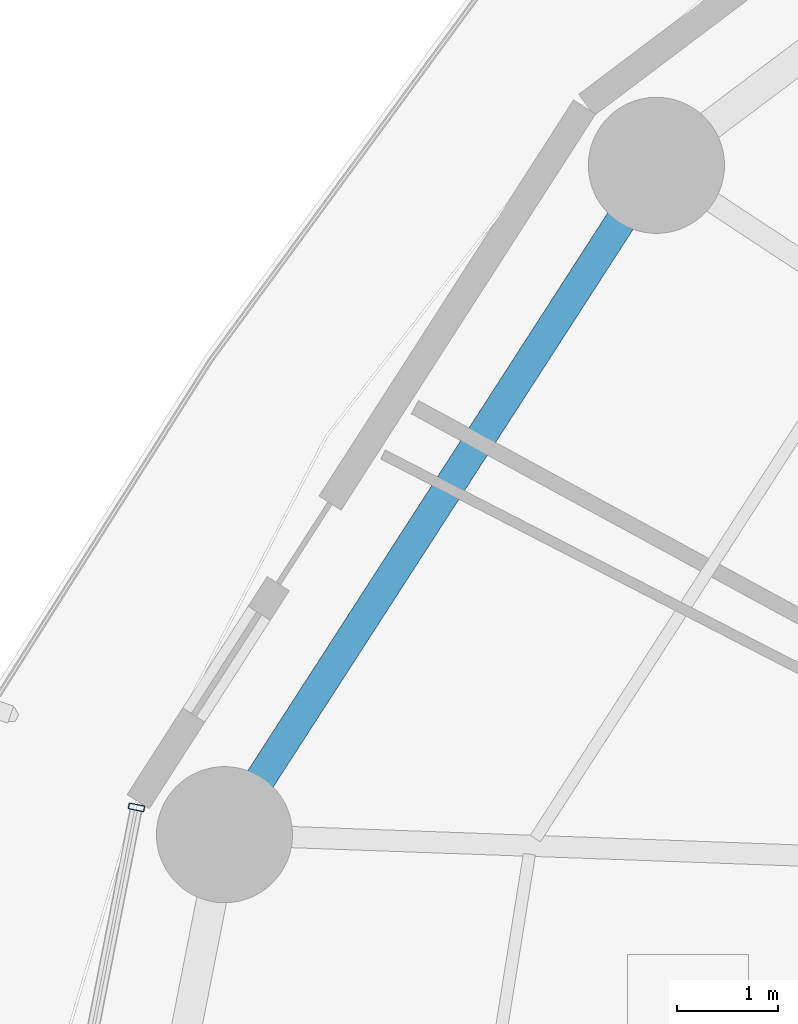
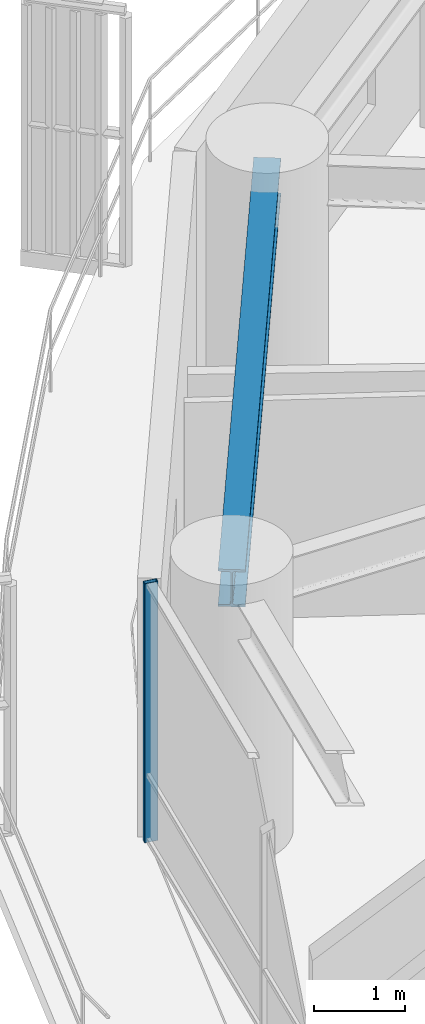
# One storey, part 17 of 36: 1 beam, 1 member, 1 element without a shape of its own.
"""IFC4 building model written with IfcOpenShell, lengths in metres."""

import ifcopenshell
import ifcopenshell.guid

model = None  # the IFC model being written
_history = None  # IfcOwnerHistory: only IFC2X3 demands one
_inside = {}  # id of a spatial element -> (the spatial element, [elements in it])
_under = {}  # id of a project, library or spatial element -> (it, [spatial elements below it])
_declared = {}  # id of a project -> (the project, [libraries it declares])
_typed = {}  # id of a type object -> (the type object, [elements of that type])
_made_of = {}  # id of a material, layer set ... -> (it, [elements and type objects made of it])


def new_model(schema):
    """Start an empty IFC model of exactly this schema.

    Asked for "IFC4X3", IfcOpenShell would pick the latest addendum, in which some entities
    have other attributes; the version numbers below select the first issue.
    IFC2X3 requires an IfcOwnerHistory on every rooted entity: one is made here for all.
    """
    global model, _history
    if schema == "IFC4X3":
        model = ifcopenshell.file(schema_version=(4, 3, 0, 0))
    else:
        model = ifcopenshell.file(schema=schema)
    _inside.clear()
    _under.clear()
    _declared.clear()
    _typed.clear()
    _made_of.clear()
    _history = None
    if model.schema == "IFC2X3":
        org = make("IfcOrganization", Name="unknown")
        user = make(
            "IfcPersonAndOrganization",
            ThePerson=make("IfcPerson", FamilyName="unknown"),
            TheOrganization=org,
        )
        app = make(
            "IfcApplication",
            ApplicationDeveloper=org,
            Version="unknown",
            ApplicationFullName="unknown",
            ApplicationIdentifier="unknown",
        )
        _history = make(
            "IfcOwnerHistory",
            OwningUser=user,
            OwningApplication=app,
            ChangeAction="ADDED",
            CreationDate=0,
        )
    return model


def make(cls, **values):
    """One entity of the class cls with the attributes given. An attribute that is None is left unset."""
    return model.create_entity(
        cls, **{name: value for name, value in values.items() if value is not None}
    )


def rooted(cls, **values):
    """An entity with a GlobalId (a new one), such as an element, a storey or a relation."""
    return make(cls, GlobalId=ifcopenshell.guid.new(), OwnerHistory=_history, **values)


def si_unit(unit_type, name, prefix=None):
    """IfcSIUnit, for example si_unit("LENGTHUNIT", "METRE", prefix="MILLI")."""
    return make("IfcSIUnit", UnitType=unit_type, Prefix=prefix, Name=name)


def assignment(units):
    """IfcUnitAssignment: the units of a project."""
    return None if units is None else make("IfcUnitAssignment", Units=units)


def point(xyz):
    """IfcCartesianPoint."""
    return None if xyz is None else make("IfcCartesianPoint", Coordinates=xyz)


def direction(xyz):
    """IfcDirection."""
    return None if xyz is None else make("IfcDirection", DirectionRatios=xyz)


def frame(location, z_axis=None, x_axis=None):
    """IfcAxis2Placement3D, a coordinate frame: its origin and axes. An axis left out is left unset."""
    return make(
        "IfcAxis2Placement3D",
        Location=point(location),
        Axis=direction(z_axis),
        RefDirection=direction(x_axis),
    )


def frame_2d(location, x_axis=None):
    """IfcAxis2Placement2D, a coordinate frame in the plane: its origin and x axis."""
    return make(
        "IfcAxis2Placement2D", Location=point(location), RefDirection=direction(x_axis)
    )


def origin():
    """The frame at (0, 0, 0) with its axes left unset."""
    return frame((0.0, 0.0, 0.0))


def origin_2d():
    """The frame at (0, 0) in the plane with its x axis left unset."""
    return frame_2d((0.0, 0.0))


def place(relative_to, where):
    """IfcLocalPlacement: puts the frame where relative to a parent placement (None: the world)."""
    return make(
        "IfcLocalPlacement", PlacementRelTo=relative_to, RelativePlacement=where
    )


def context(
    kind, dimensions, precision=None, world=None, true_north=None, identifier=None
):
    """IfcGeometricRepresentationContext, for example the 3D "Model" context."""
    return make(
        "IfcGeometricRepresentationContext",
        ContextIdentifier=identifier,
        ContextType=kind,
        CoordinateSpaceDimension=dimensions,
        Precision=precision,
        WorldCoordinateSystem=world,
        TrueNorth=true_north,
    )


def subcontext(parent, identifier, kind, view, scale=None):
    """IfcGeometricRepresentationSubContext, for example "Body" below "Model"."""
    return make(
        "IfcGeometricRepresentationSubContext",
        ContextIdentifier=identifier,
        ContextType=kind,
        ParentContext=parent,
        TargetScale=scale,
        TargetView=view,
    )


def project(units=None, contexts=None):
    """IfcProject with its units and contexts."""
    return rooted(
        "IfcProject",
        Name="project",
        RepresentationContexts=contexts,
        UnitsInContext=assignment(units),
    )


def spatial(cls, under=None, at=None, **own):
    """A site, building, storey or space (cls), placed at a placement, below another one or the project."""
    s = rooted(cls, ObjectPlacement=at, **own)
    if under is not None:
        _under.setdefault(under.id(), (under, []))[1].append(s)
    return s


def profile(cls, at=None, kind="AREA", **sizes):
    """A parametric profile (cls). Its sizes go by their IFC names, for example OverallWidth=200.0."""
    return make(cls, ProfileType=kind, Position=at, **sizes)


def hollow_rectangle(**sizes):
    """IfcRectangleHollowProfileDef."""
    return profile("IfcRectangleHollowProfileDef", **sizes)


def i_section(**sizes):
    """IfcIShapeProfileDef."""
    return profile("IfcIShapeProfileDef", **sizes)


def extrude(swept, where, along, depth):
    """IfcExtrudedAreaSolid: the profile swept, set in the frame where, extruded along a direction by depth."""
    return make(
        "IfcExtrudedAreaSolid",
        SweptArea=swept,
        Position=where,
        ExtrudedDirection=direction(along),
        Depth=depth,
    )


def shape(context_of_items, identifier, shape_type, items):
    """IfcShapeRepresentation: the items that make up one representation, for example the "Body"."""
    return make(
        "IfcShapeRepresentation",
        ContextOfItems=context_of_items,
        RepresentationIdentifier=identifier,
        RepresentationType=shape_type,
        Items=items,
    )


def material(Name=None, Category=None):
    """IfcMaterial."""
    return make("IfcMaterial", Name=Name, Category=Category)


def layer(
    of_material, thickness, ventilated=None, Name=None, Category=None, Priority=None
):
    """IfcMaterialLayer: one layer of a wall or slab, of a material (None: an air gap)."""
    return make(
        "IfcMaterialLayer",
        Material=of_material,
        LayerThickness=thickness,
        IsVentilated=ventilated,
        Name=Name,
        Category=Category,
        Priority=Priority,
    )


def layer_set(layers, Name=None):
    """IfcMaterialLayerSet."""
    return make("IfcMaterialLayerSet", MaterialLayers=layers, LayerSetName=Name)


def material_profile(
    of_material, cross_section, Name=None, Category=None, Priority=None
):
    """IfcMaterialProfile: a cross section and its material."""
    return make(
        "IfcMaterialProfile",
        Name=Name,
        Material=of_material,
        Profile=cross_section,
        Priority=Priority,
        Category=Category,
    )


def profile_set(profiles, Name=None, composite=None):
    """IfcMaterialProfileSet."""
    return make(
        "IfcMaterialProfileSet",
        Name=Name,
        MaterialProfiles=profiles,
        CompositeProfile=composite,
    )


def made_of(thing, what):
    """Note that an element or type object is made of a material, layer set ...; save() writes the relation."""
    if what is not None:
        _made_of.setdefault(what.id(), (what, []))[1].append(thing)
    return thing


def type_object(cls, material=None, **own):
    """A type object (cls), such as IfcWallType, which elements share."""
    return made_of(rooted(cls, **own), material)


def element(
    cls,
    number,
    at=None,
    inside=None,
    cuts=None,
    type_object=None,
    material=None,
    context=None,
    identifier="Body",
    shape_type=None,
    held_by="IfcProductDefinitionShape",
    body=None,
    shapes=None,
    **own,
):
    """One element of the class cls, such as IfcWall. Its Tag is "e" and its number.

    at: its placement. inside: the storey or other place that contains it. cuts: it is an
    opening in that element (IfcRelVoidsElement). A single representation is given by context,
    identifier, shape_type and body (its items); several are given by shapes. held_by: the class
    of the entity that holds the representations. save() writes the other relations.
    """
    e = rooted(cls, Tag="e%d" % number, ObjectPlacement=at, **own)
    if body is not None:
        shapes = [shape(context, identifier, shape_type, body)]
    if shapes is not None:
        e.Representation = make(held_by, Representations=shapes)
    if inside is not None:
        _inside.setdefault(inside.id(), (inside, []))[1].append(e)
    if cuts is not None:
        rooted(
            "IfcRelVoidsElement", RelatingBuildingElement=cuts, RelatedOpeningElement=e
        )
    if type_object is not None:
        _typed.setdefault(type_object.id(), (type_object, []))[1].append(e)
    return made_of(e, material)


def aggregate(whole, parts):
    """IfcRelAggregates: a whole, such as a stair, and the parts it consists of."""
    return rooted("IfcRelAggregates", RelatingObject=whole, RelatedObjects=parts)


def save(model, path):
    """Write the relations noted so far, then the file.

    IfcRelAggregates (storeys below a building ...), IfcRelContainedInSpatialStructure (elements
    in a storey), IfcRelDefinesByType, IfcRelAssociatesMaterial and IfcRelDeclares: one each for
    every whole, place, type object, material and project.
    """
    for whole, parts in _under.values():
        aggregate(whole, parts)
    for where, things in _inside.values():
        rooted(
            "IfcRelContainedInSpatialStructure",
            RelatedElements=things,
            RelatingStructure=where,
        )
    for kind, things in _typed.values():
        rooted("IfcRelDefinesByType", RelatedObjects=things, RelatingType=kind)
    for what, things in _made_of.values():
        rooted("IfcRelAssociatesMaterial", RelatedObjects=things, RelatingMaterial=what)
    for by, libraries in _declared.values():
        rooted("IfcRelDeclares", RelatingContext=by, RelatedDefinitions=libraries)
    model.write(path)


model = new_model("IFC4")

# Units and contexts
model_context = context("Model", 3, precision=1e-05, world=origin(), true_north=direction((0.0, 1.0)))
body_context = subcontext(model_context, "Body", "Model", "MODEL_VIEW")
ifc_project = project(units=[si_unit("LENGTHUNIT", "METRE"), si_unit("AREAUNIT", "SQUARE_METRE"), si_unit("VOLUMEUNIT", "CUBIC_METRE"), si_unit("PLANEANGLEUNIT", "RADIAN"), si_unit("MASSUNIT", "GRAM", prefix="KILO")], contexts=[model_context])

# Site, building, storey
site_placement = place(None, origin())
site = spatial("IfcSite", under=ifc_project, at=site_placement, CompositionType="ELEMENT")
building_placement = place(site_placement, origin())
building = spatial("IfcBuilding", under=site, at=building_placement, Name="Kelanora Arch Commons", CompositionType="ELEMENT")
storey_placement = place(building_placement, frame((0.0, 0.0, 98.85009765625)))
storey = spatial("IfcBuildingStorey", under=building, at=storey_placement, Name="L25", CompositionType="ELEMENT", Elevation=98.85009765625)

# Beam
ifc_material_1 = material(Name="Steel S355", Category="steel")
ifc_material_profile_1 = material_profile(ifc_material_1, i_section(OverallWidth=0.300048828125, OverallDepth=0.5, WebThickness=0.014404296875, FlangeThickness=0.028076171875, FilletRadius=0.027099609375, at=origin_2d()), Name="HEB500")
ifc_profile_set_1 = profile_set([ifc_material_profile_1], Name="Steel S355")
beam_type = type_object("IfcBeamType", Name="BM-SPN-Z2", PredefinedType="SPANDREL", material=ifc_profile_set_1)
beam_placement = place(storey_placement, frame((55.093994140625, 72.19287109375, 3.239990234375), z_axis=(-0.542221144054, -0.840235818649, 0.0), x_axis=(0.840235818649, -0.542221144054, 0.0)))
element("IfcBeam", 1, at=beam_placement, inside=storey, type_object=beam_type, Name="Perimeter Spandrel Beam BS-14 L25", PredefinedType="SPANDREL", context=body_context, shape_type="SweptSolid", body=[
    extrude(i_section(OverallWidth=0.300048828125, OverallDepth=0.5, WebThickness=0.014404296875, FlangeThickness=0.028076171875, FilletRadius=0.027099609375, at=origin_2d()), origin(), (0.0, 0.0, 1.0), 7.90380859375),
])

# Curtain wall, member
ifc_material_2 = material(Name="Terracotta ceramic-fritted low-E glass and aluminium", Category="masonry")
ifc_layer = layer(ifc_material_2, 0.159912109375)
ifc_layer_set = layer_set([ifc_layer], Name="Terracotta ceramic-fritted low-E glass and aluminium")
curtain_wall_type = type_object("IfcCurtainWallType", Name="CW-SYS-01", PredefinedType="NOTDEFINED", material=ifc_layer_set)
curtain_wall_placement = place(storey_placement, origin())
curtain_wall = element("IfcCurtainWall", 2, at=curtain_wall_placement, inside=storey, type_object=curtain_wall_type, Name="Unitised Curtain Wall L25-B08", PredefinedType="NOTDEFINED")
ifc_material_3 = material(Name="Powder-coated aluminium terracotta", Category="masonry")
ifc_material_profile_2 = material_profile(ifc_material_3, hollow_rectangle(XDim=0.159912109375, YDim=0.06005859375, WallThickness=0.0048828125, InnerFilletRadius=0.0048828125, OuterFilletRadius=0.010009765625, at=origin_2d()), Name="CWM160x60")
ifc_profile_set_2 = profile_set([ifc_material_profile_2], Name="Powder-coated aluminium terracotta")
member_type = type_object("IfcMemberType", Name="CWM-STD", PredefinedType="MULLION", material=ifc_profile_set_2)
member_placement = place(storey_placement, frame((49.935302734375, 65.822265625, 0.0), z_axis=(0.0, 0.0, 1.0), x_axis=(0.981280311646, -0.192584916272, 0.0)))
member = element("IfcMember", 3, at=member_placement, type_object=member_type, Name="CW-01 mullion 1", PredefinedType="MULLION", context=body_context, shape_type="SweptSolid", body=[
    extrude(hollow_rectangle(XDim=0.159912109375, YDim=0.06005859375, WallThickness=0.0048828125, InnerFilletRadius=0.0048828125, OuterFilletRadius=0.010009765625, at=origin_2d()), origin(), (0.0, 0.0, 1.0), 3.474853515625),
])
aggregate(curtain_wall, [member])

save(model, "model.ifc")
